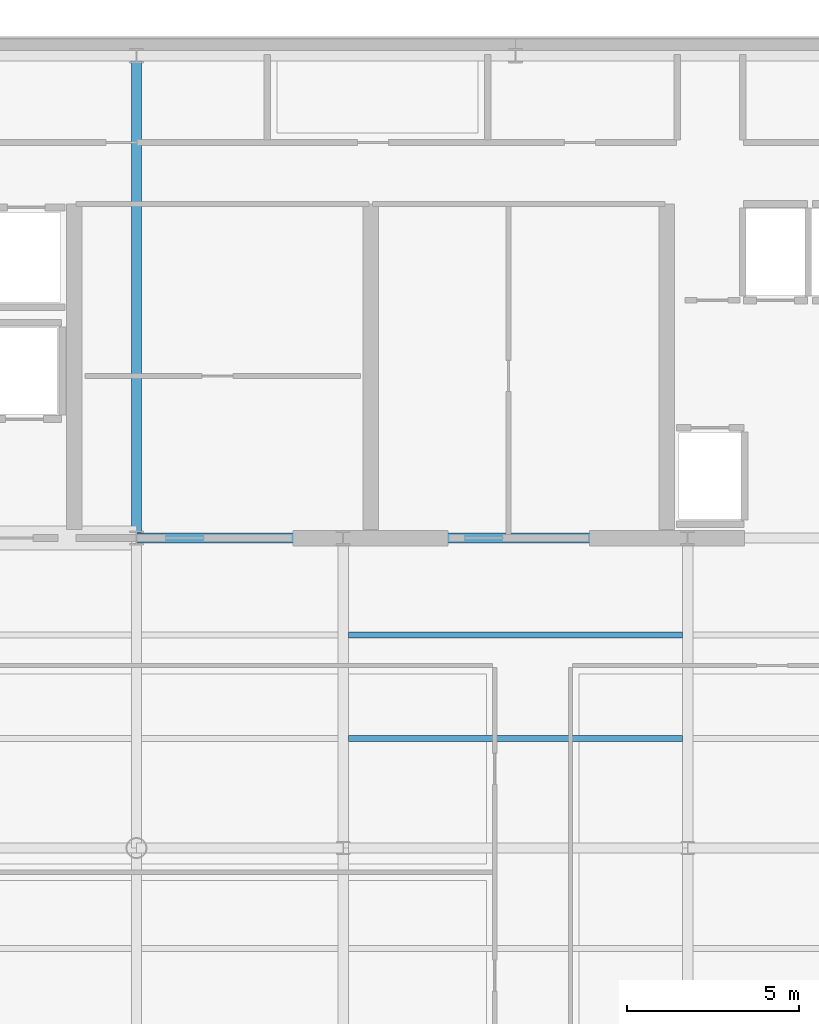
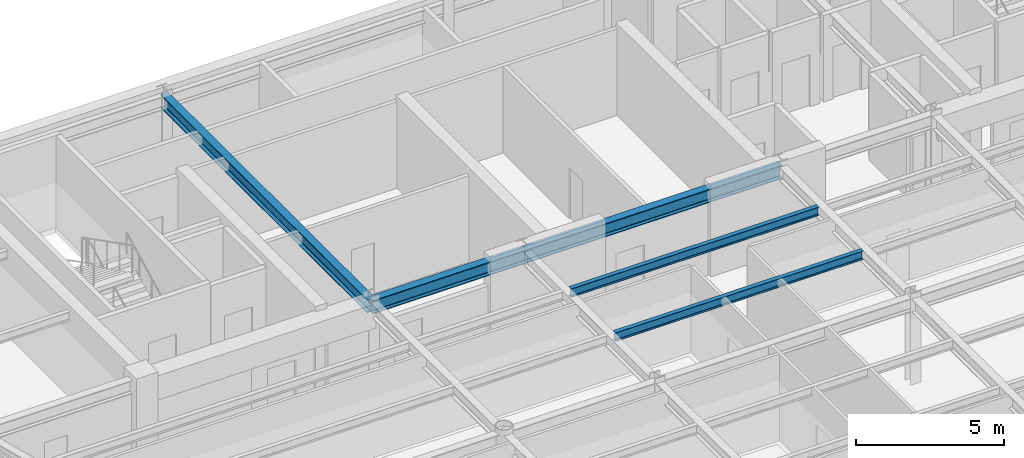
# One storey, part 5 of 19: 5 beams.
"""IFC4 building model written with IfcOpenShell, lengths in metres."""

from ifc_helpers import new_model, si_unit, direction, frame, origin, origin_2d, place, context, subcontext, project, spatial, i_section, extrude, source, transform, mapped, material, material_profile, profile_set, type_object, element, save


model = new_model("IFC4")

# Units and contexts
model_context = context("Model", 3, precision=1e-05, world=origin(), true_north=direction((0.0, 1.0)))
body_context = subcontext(model_context, "Body", "Model", "MODEL_VIEW")
ifc_project = project(units=[si_unit("LENGTHUNIT", "METRE"), si_unit("AREAUNIT", "SQUARE_METRE"), si_unit("VOLUMEUNIT", "CUBIC_METRE"), si_unit("PLANEANGLEUNIT", "RADIAN"), si_unit("MASSUNIT", "GRAM", prefix="KILO")], contexts=[model_context])

# Site, building, storey
site_placement = place(None, origin())
site = spatial("IfcSite", under=ifc_project, at=site_placement, CompositionType="ELEMENT")
building_placement = place(site_placement, origin())
building = spatial("IfcBuilding", under=site, at=building_placement, Name="Vaeldorn Concourse Tower", CompositionType="ELEMENT")
storey_placement = place(building_placement, frame((0.0, 0.0, 272.60009765625)))
storey = spatial("IfcBuildingStorey", under=building, at=storey_placement, Name="L70", CompositionType="ELEMENT", Elevation=272.60009765625)

# Beams
ifc_material = material(Name="Steel S355", Category="steel")
ifc_material_profile_1 = material_profile(ifc_material, i_section(OverallWidth=0.300048828125, OverallDepth=0.550048828125, WebThickness=0.014892578125, FlangeThickness=0.029052734375, FilletRadius=0.027099609375, at=origin_2d()), Name="HEB 550")
ifc_profile_set_1 = profile_set([ifc_material_profile_1], Name="Steel S355")
beam_type_1 = type_object("IfcBeamType", Name="BM-PG-HEB550", PredefinedType="BEAM", material=ifc_profile_set_1)
shared_shape_1 = source(origin(), body_context, "Body", "SweptSolid", [
    extrude(i_section(OverallWidth=0.300048828125, OverallDepth=0.550048828125, WebThickness=0.014892578125, FlangeThickness=0.029052734375, FilletRadius=0.027099609375, at=origin_2d()), origin(), (0.0, 0.0, 1.0), 6.0),
])
beam_1_placement = place(storey_placement, frame((23.0, 36.5, 3.304931640625), z_axis=(1.0, 0.0, 0.0), x_axis=(0.0, 1.0, 0.0)))
element("IfcBeam", 1, at=beam_1_placement, inside=storey, type_object=beam_type_1, Name="Beam BM-L70-C-FC2-C-FC3", PredefinedType="BEAM", context=body_context, shape_type="MappedRepresentation", body=[
    mapped(shared_shape_1, transform((0.0, 0.0, 0.0), scale=1.0)),
])
shared_shape_2 = source(origin(), body_context, "Body", "SweptSolid", [
    extrude(i_section(OverallWidth=0.300048828125, OverallDepth=0.550048828125, WebThickness=0.014892578125, FlangeThickness=0.029052734375, FilletRadius=0.027099609375, at=origin_2d()), origin(), (0.0, 0.0, 1.0), 10.0),
])
beam_2_placement = place(storey_placement, frame((29.0, 36.5, 3.304931640625), z_axis=(1.0, 0.0, 0.0), x_axis=(0.0, 1.0, 0.0)))
element("IfcBeam", 2, at=beam_2_placement, inside=storey, type_object=beam_type_1, Name="Beam BM-L70-C-FC3-C-FC4", PredefinedType="BEAM", context=body_context, shape_type="MappedRepresentation", body=[
    mapped(shared_shape_2, transform((0.0, 0.0, 0.0), scale=1.0)),
])
shared_shape_3 = source(origin(), body_context, "Body", "SweptSolid", [
    extrude(i_section(OverallWidth=0.300048828125, OverallDepth=0.550048828125, WebThickness=0.014892578125, FlangeThickness=0.029052734375, FilletRadius=0.027099609375, at=origin_2d()), origin(), (0.0, 0.0, 1.0), 14.0),
])
beam_3_placement = place(storey_placement, frame((23.0, 36.5, 3.304931640625), z_axis=(0.0, 1.0, 0.0), x_axis=(-1.0, 0.0, 0.0)))
element("IfcBeam", 3, at=beam_3_placement, inside=storey, type_object=beam_type_1, Name="Beam BM-L70-C-FC2-C-HC2", PredefinedType="BEAM", context=body_context, shape_type="MappedRepresentation", body=[
    mapped(shared_shape_3, transform((0.0, 0.0, 0.0), scale=1.0)),
])
ifc_material_profile_2 = material_profile(ifc_material, i_section(OverallWidth=0.169921875, OverallDepth=0.360107421875, WebThickness=0.008056640625, FlangeThickness=0.0126953125, FilletRadius=0.01806640625, at=origin_2d()), Name="IPE 360")
ifc_profile_set_2 = profile_set([ifc_material_profile_2], Name="Steel S355")
beam_type_2 = type_object("IfcBeamType", Name="BM-JS-IPE360", PredefinedType="JOIST", material=ifc_profile_set_2)
shared_shape_4 = source(origin(), body_context, "Body", "SweptSolid", [
    extrude(i_section(OverallWidth=0.169921875, OverallDepth=0.360107421875, WebThickness=0.008056640625, FlangeThickness=0.0126953125, FilletRadius=0.01806640625, at=origin_2d()), origin(), (0.0, 0.0, 1.0), 9.7001953125),
])
for number, where, z_axis, x_axis, name in (
    (4, (29.14990234375, 30.679931640625, 3.39990234375), (1.0, 0.0, 0.0), (0.0, 1.0, 0.0), "Beam JS-L70-C-306"),
    (5, (29.14990234375, 33.679931640625, 3.39990234375), (1.0, 0.0, 0.0), (0.0, 1.0, 0.0), "Beam JS-L70-C-336"),
):
    element("IfcBeam", number, at=place(storey_placement, frame(where, z_axis=z_axis, x_axis=x_axis)), inside=storey, type_object=beam_type_2, Name=name, PredefinedType="JOIST", context=body_context, shape_type="MappedRepresentation", body=[
        mapped(shared_shape_4, transform((0.0, 0.0, 0.0), scale=1.0)),
    ])

save(model, "model.ifc")
